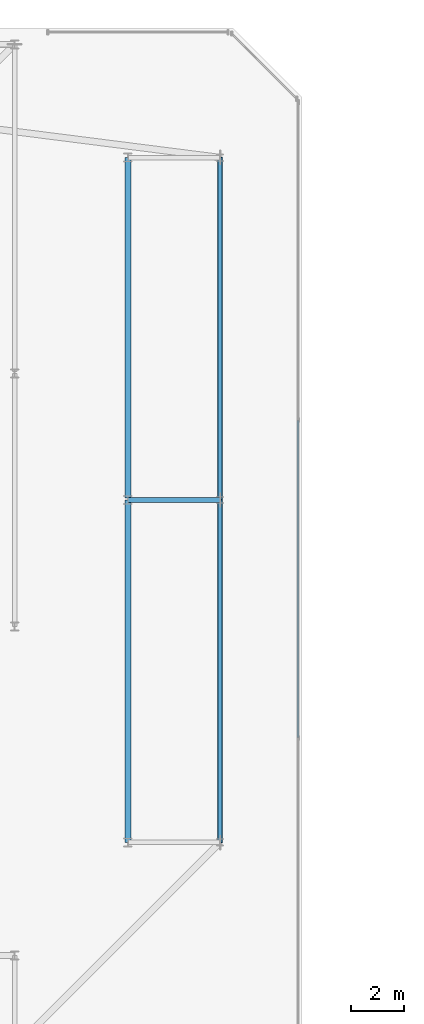
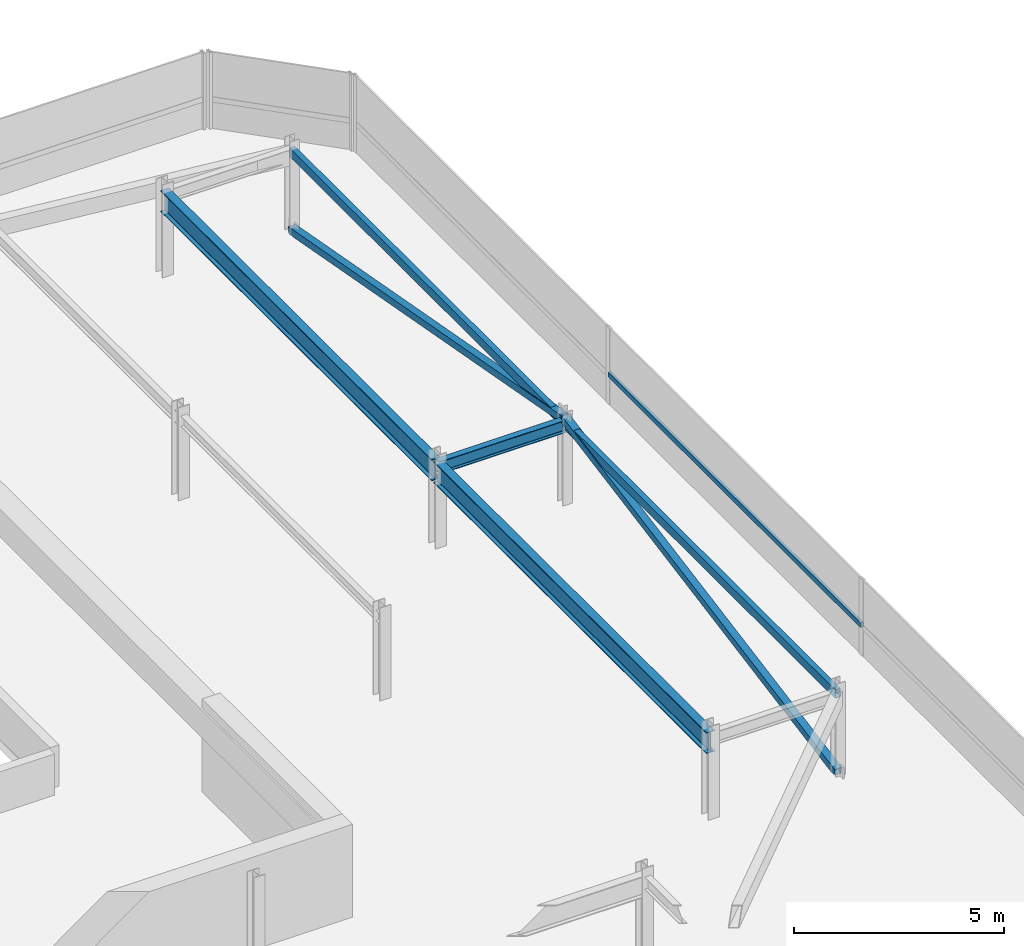
# One storey, part 20 of 44: 5 beams, 3 members, 1 element without a shape of its own.
"""IFC4 building model written with IfcOpenShell, lengths in metres."""

from ifc_helpers import new_model, si_unit, direction, frame, origin, origin_2d, place, context, subcontext, project, spatial, hollow_rectangle, i_section, extrude, material, material_profile, profile_set, type_object, element, aggregate, save


model = new_model("IFC4")

# Units and contexts
model_context = context("Model", 3, precision=1e-05, world=origin(), true_north=direction((0.0, 1.0)))
body_context = subcontext(model_context, "Body", "Model", "MODEL_VIEW")
ifc_project = project(units=[si_unit("LENGTHUNIT", "METRE"), si_unit("AREAUNIT", "SQUARE_METRE"), si_unit("VOLUMEUNIT", "CUBIC_METRE"), si_unit("PLANEANGLEUNIT", "RADIAN"), si_unit("MASSUNIT", "GRAM", prefix="KILO")], contexts=[model_context])

# Site, building, storey
site_placement = place(None, origin())
site = spatial("IfcSite", under=ifc_project, at=site_placement, CompositionType="ELEMENT")
building_placement = place(site_placement, origin())
building = spatial("IfcBuilding", under=site, at=building_placement, Name="Thornwick Lancets Civic Towers", CompositionType="ELEMENT")
storey_placement = place(building_placement, frame((0.0, 0.0, 292.199951171875)))
storey = spatial("IfcBuildingStorey", under=building, at=storey_placement, Name="C05", CompositionType="ELEMENT", Elevation=292.199951171875)

# Beams
ifc_material_1 = material(Name="Steel S355JR", Category="steel")
ifc_material_profile_1 = material_profile(ifc_material_1, hollow_rectangle(XDim=0.14990234375, YDim=0.25, WallThickness=0.012451171875, at=origin_2d()), Name="RHS 250x150x12.5")
ifc_profile_set_1 = profile_set([ifc_material_profile_1], Name="Steel S355JR")
beam_type_1 = type_object("IfcBeamType", Name="BM_CROWN_RHS250", PredefinedType="BEAM", material=ifc_profile_set_1)
beam_1_placement = place(storey_placement, frame((46.300048828125, 14.0, 2.31494140625), z_axis=(0.0, 1.0, 0.0), x_axis=(-1.0, 0.0, 0.0)))
element("IfcBeam", 1, at=beam_1_placement, inside=storey, type_object=beam_type_1, Name="BM-EDGE-C05-A-S1-1", PredefinedType="BEAM", context=body_context, shape_type="SweptSolid", body=[
    extrude(hollow_rectangle(XDim=0.14990234375, YDim=0.25, WallThickness=0.012451171875, at=origin_2d()), origin(), (0.0, 0.0, 1.0), 13.0),
])
beam_2_placement = place(storey_placement, frame((46.300048828125, 27.080078125, 2.31494140625), z_axis=(0.0, 1.0, 0.0), x_axis=(-1.0, 0.0, 0.0)))
element("IfcBeam", 2, at=beam_2_placement, inside=storey, type_object=beam_type_1, Name="BM-EDGE-C05-A-S1-2", PredefinedType="BEAM", context=body_context, shape_type="SweptSolid", body=[
    extrude(hollow_rectangle(XDim=0.14990234375, YDim=0.25, WallThickness=0.012451171875, at=origin_2d()), origin(), (0.0, 0.0, 1.0), 12.919921875),
])
ifc_material_profile_2 = material_profile(ifc_material_1, i_section(OverallWidth=0.230224609375, OverallDepth=0.6171875, WebThickness=0.01318359375, FlangeThickness=0.022216796875, FilletRadius=0.0126953125, at=origin_2d()), Name="UKB 610x229x140")
ifc_profile_set_2 = profile_set([ifc_material_profile_2], Name="Steel S355JR")
beam_type_2 = type_object("IfcBeamType", Name="BM_GIRD_610_140", PredefinedType="BEAM", material=ifc_profile_set_2)
beam_3_placement = place(storey_placement, frame((42.800048828125, 14.0, 2.13134765625), z_axis=(0.0, 1.0, 0.0), x_axis=(-1.0, 0.0, 0.0)))
element("IfcBeam", 3, at=beam_3_placement, inside=storey, type_object=beam_type_2, Name="BM-SPINE-C05-A-3-4", PredefinedType="BEAM", context=body_context, shape_type="SweptSolid", body=[
    extrude(i_section(OverallWidth=0.230224609375, OverallDepth=0.6171875, WebThickness=0.01318359375, FlangeThickness=0.022216796875, FilletRadius=0.0126953125, at=origin_2d()), origin(), (0.0, 0.0, 1.0), 13.0),
])
beam_4_placement = place(storey_placement, frame((42.800048828125, 27.080078125, 2.13134765625), z_axis=(0.0, 1.0, 0.0), x_axis=(-1.0, 0.0, 0.0)))
element("IfcBeam", 4, at=beam_4_placement, inside=storey, type_object=beam_type_2, Name="BM-SPINE-C05-A-4-5", PredefinedType="BEAM", context=body_context, shape_type="SweptSolid", body=[
    extrude(i_section(OverallWidth=0.230224609375, OverallDepth=0.6171875, WebThickness=0.01318359375, FlangeThickness=0.022216796875, FilletRadius=0.0126953125, at=origin_2d()), origin(), (0.0, 0.0, 1.0), 12.919921875),
])
ifc_material_profile_3 = material_profile(ifc_material_1, i_section(OverallWidth=0.173095703125, OverallDepth=0.36328125, WebThickness=0.009033203125, FlangeThickness=0.015625, FilletRadius=0.01025390625, at=origin_2d()), Name="UKB 356x171x67")
ifc_profile_set_3 = profile_set([ifc_material_profile_3], Name="Steel S355JR")
beam_type_3 = type_object("IfcBeamType", Name="BM_JOIST_356_67", PredefinedType="JOIST", material=ifc_profile_set_3)
beam_5_placement = place(storey_placement, frame((42.800048828125, 27.0, 2.25830078125), z_axis=(1.0, 0.0, 0.0), x_axis=(0.0, 1.0, 0.0)))
element("IfcBeam", 5, at=beam_5_placement, inside=storey, type_object=beam_type_3, Name="BM-RAD-C05-A05", PredefinedType="JOIST", context=body_context, shape_type="SweptSolid", body=[
    extrude(i_section(OverallWidth=0.173095703125, OverallDepth=0.36328125, WebThickness=0.009033203125, FlangeThickness=0.015625, FilletRadius=0.01025390625, at=origin_2d()), origin(), (0.0, 0.0, 1.0), 3.5),
])

# Curtain wall, member
ifc_material_2 = material(Name="Crown ring acoustic-louvre and glazing screen wall", Category="glass")
curtain_wall_type = type_object("IfcCurtainWallType", Name="CW_SYS_07", PredefinedType="NOTDEFINED", material=ifc_material_2)
curtain_wall_placement = place(storey_placement, origin())
curtain_wall = element("IfcCurtainWall", 6, at=curtain_wall_placement, inside=storey, type_object=curtain_wall_type, Name="C05 Curtain Wall CW-C05-A-E2", PredefinedType="NOTDEFINED")
ifc_material_3 = material(Name="Thermally broken bronze aluminium S355", Category="steel")
ifc_material_profile_4 = material_profile(ifc_material_3, hollow_rectangle(XDim=0.074951171875, YDim=0.14990234375, WallThickness=0.0048828125, at=origin_2d()), Name="RHS 150x75x5")
ifc_profile_set_4 = profile_set([ifc_material_profile_4], Name="Thermally broken bronze aluminium S355")
member_type_1 = type_object("IfcMemberType", Name="CW_TRN_150", PredefinedType="USERDEFINED", material=ifc_profile_set_4)
member_placement = place(storey_placement, frame((49.2646484375, 17.986083984375, 0.85009765625), z_axis=(0.0, 1.0, 0.0), x_axis=(-1.0, 0.0, 0.0)))
member = element("IfcMember", 7, at=member_placement, type_object=member_type_1, Name="CW-C05-A-E2 Transom 1", ObjectType="TRANSOM", PredefinedType="USERDEFINED", context=body_context, shape_type="SweptSolid", body=[
    extrude(hollow_rectangle(XDim=0.074951171875, YDim=0.14990234375, WallThickness=0.0048828125, at=origin_2d()), origin(), (0.0, 0.0, 1.0), 12.02783203125),
])
aggregate(curtain_wall, [member])

# Members
ifc_material_profile_5 = material_profile(ifc_material_1, hollow_rectangle(XDim=0.199951171875, YDim=0.199951171875, WallThickness=0.012451171875, at=origin_2d()), Name="SHS 200x200x12.5")
ifc_profile_set_5 = profile_set([ifc_material_profile_5], Name="Steel S355JR")
member_type_2 = type_object("IfcMemberType", Name="MEM_CROWN_SHS200", PredefinedType="BRACE", material=ifc_profile_set_5)
for number, where, z_axis, x_axis, name in (
    (8, (46.300048828125, 14.0, 0.050048828125), (0.0, 0.98351842104, 0.180807951915), (-1.0, 0.0, 0.0), "C05 Crown Ring Lancet Rib A-S1-L"),
    (9, (46.300048828125, 40.0, 0.050048828125), (0.0, -0.98351842104, 0.180807951915), (1.0, 0.0, 0.0), "C05 Crown Ring Lancet Rib A-S1-R"),
):
    element("IfcMember", number, at=place(storey_placement, frame(where, z_axis=z_axis, x_axis=x_axis)), inside=storey, type_object=member_type_2, Name=name, PredefinedType="BRACE", context=body_context, shape_type="SweptSolid", body=[
        extrude(hollow_rectangle(XDim=0.199951171875, YDim=0.199951171875, WallThickness=0.012451171875, at=origin_2d()), origin(), (0.0, 0.0, 1.0), 13.2177734375),
    ])

save(model, "model.ifc")
